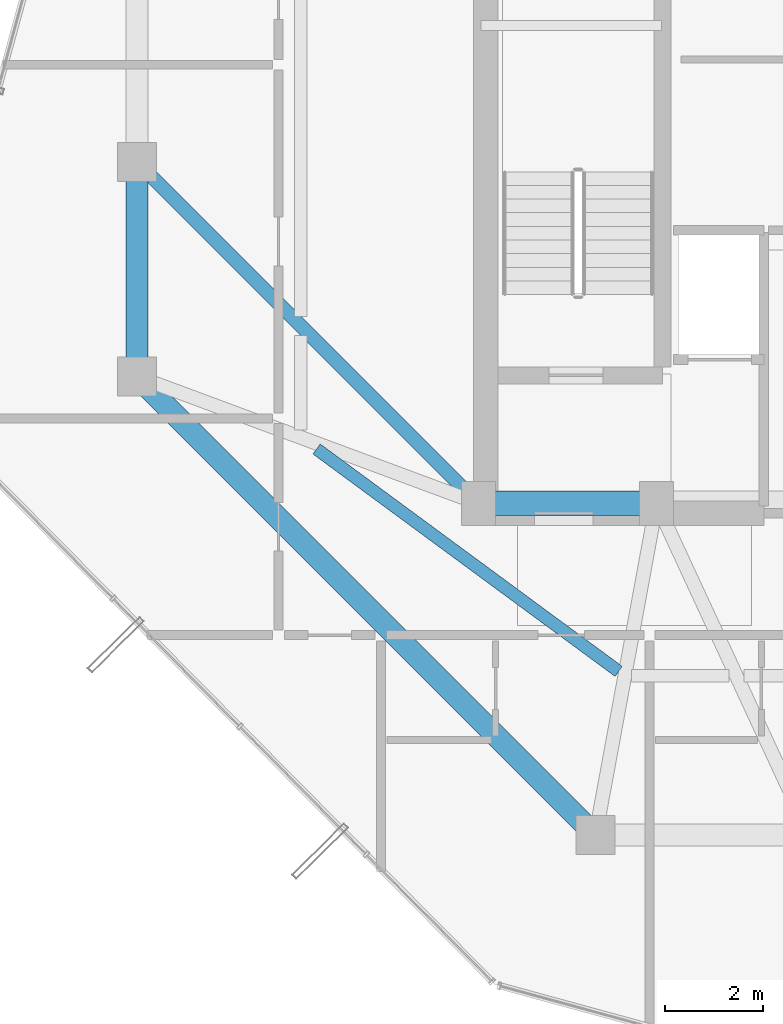
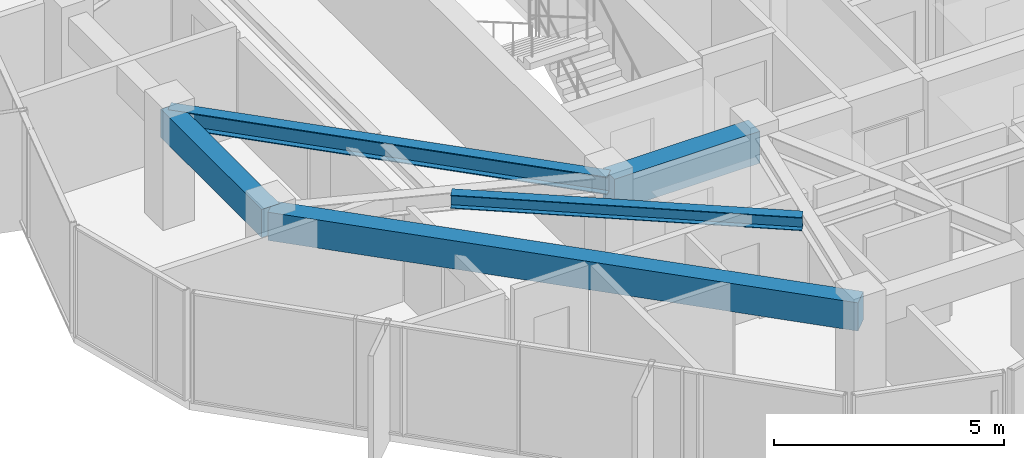
# One storey, part 7 of 29: 5 beams.
"""IFC4 building model written with IfcOpenShell, lengths in metres."""

from ifc_helpers import new_model, si_unit, direction, frame, origin, origin_2d, place, context, subcontext, project, spatial, rectangle, i_section, extrude, material, material_profile, profile_set, type_object, element, save


model = new_model("IFC4")

# Units and contexts
model_context = context("Model", 3, precision=1e-05, world=origin(), true_north=direction((0.0, 1.0)))
body_context = subcontext(model_context, "Body", "Model", "MODEL_VIEW")
ifc_project = project(units=[si_unit("LENGTHUNIT", "METRE"), si_unit("AREAUNIT", "SQUARE_METRE"), si_unit("VOLUMEUNIT", "CUBIC_METRE"), si_unit("PLANEANGLEUNIT", "RADIAN"), si_unit("MASSUNIT", "GRAM", prefix="KILO")], contexts=[model_context])

# Site, building, storey
site_placement = place(None, origin())
site = spatial("IfcSite", under=ifc_project, at=site_placement, CompositionType="ELEMENT")
building_placement = place(site_placement, origin())
building = spatial("IfcBuilding", under=site, at=building_placement, Name="Veraguas Prism Commons", CompositionType="ELEMENT")
storey_placement = place(building_placement, frame((0.0, 0.0, 261.0)))
storey = spatial("IfcBuildingStorey", under=building, at=storey_placement, Name="L74", CompositionType="ELEMENT", Elevation=261.0)

# Beams
ifc_material_1 = material(Name="Concrete C50/60", Category="concrete")
ifc_material_profile_1 = material_profile(ifc_material_1, rectangle(XDim=0.5, YDim=0.85009765625, at=origin_2d()), Name="RC500X850")
ifc_profile_set_1 = profile_set([ifc_material_profile_1], Name="Concrete C50/60")
beam_type_1 = type_object("IfcBeamType", Name="Core Coupling Beam RC 500x850", PredefinedType="BEAM", material=ifc_profile_set_1)
beam_1_placement = place(storey_placement, frame((17.199951171875, 17.0, 2.5048828125), z_axis=(1.0, 0.0, 0.0), x_axis=(0.0, 1.0, 0.0)))
element("IfcBeam", 1, at=beam_1_placement, inside=storey, type_object=beam_type_1, Name="Core Coupling Beam L74-CRS1", PredefinedType="BEAM", context=body_context, shape_type="SweptSolid", body=[
    extrude(rectangle(XDim=0.5, YDim=0.85009765625, at=origin_2d()), origin(), (0.0, 0.0, 1.0), 3.650146484375),
])
ifc_material_profile_2 = material_profile(ifc_material_1, rectangle(XDim=0.449951171875, YDim=0.75, at=origin_2d()), Name="RC450X750")
ifc_profile_set_2 = profile_set([ifc_material_profile_2], Name="Concrete C50/60")
beam_type_2 = type_object("IfcBeamType", Name="Perimeter Spandrel Upper RC 450x750", PredefinedType="SPANDREL", material=ifc_profile_set_2)
beam_2_placement = place(storey_placement, frame((10.199951171875, 24.0, 2.554931640625), z_axis=(0.0, -1.0, 0.0), x_axis=(1.0, 0.0, 0.0)))
element("IfcBeam", 2, at=beam_2_placement, inside=storey, type_object=beam_type_2, Name="Perimeter Spandrel Beam L74-SP08", PredefinedType="SPANDREL", context=body_context, shape_type="SweptSolid", body=[
    extrude(rectangle(XDim=0.449951171875, YDim=0.75, at=origin_2d()), origin(), (0.0, 0.0, 1.0), 4.39990234375),
])
beam_3_placement = place(storey_placement, frame((10.199951171875, 19.60009765625, 2.554931640625), z_axis=(0.707106781187, -0.707106781187, 0.0), x_axis=(0.707106781187, 0.707106781187, 0.0)))
element("IfcBeam", 3, at=beam_3_placement, inside=storey, type_object=beam_type_2, Name="Perimeter Spandrel Beam L74-SP09", PredefinedType="SPANDREL", context=body_context, shape_type="SweptSolid", body=[
    extrude(rectangle(XDim=0.449951171875, YDim=0.75, at=origin_2d()), origin(), (0.0, 0.0, 1.0), 13.293701171875),
])
ifc_material_2 = material(Name="Steel ASTM A992 Grade 50", Category="steel")
ifc_material_profile_3 = material_profile(ifc_material_2, i_section(OverallWidth=0.25390625, OverallDepth=0.35302734375, WebThickness=0.009521484375, FlangeThickness=0.016357421875, at=origin_2d()), Name="W360X91")
ifc_profile_set_3 = profile_set([ifc_material_profile_3], Name="Steel ASTM A992 Grade 50")
beam_type_3 = type_object("IfcBeamType", Name="Upper Floor Joist W360x91", PredefinedType="JOIST", material=ifc_profile_set_3)
beam_4_placement = place(storey_placement, frame((13.881103515625, 18.11572265625, 2.75341796875), z_axis=(0.805319835229, -0.592840588174, 0.0), x_axis=(0.592840588174, 0.805319835229, 0.0)))
element("IfcBeam", 4, at=beam_4_placement, inside=storey, type_object=beam_type_3, Name="Composite Floor Joist L74-JS09", PredefinedType="JOIST", context=body_context, shape_type="SweptSolid", body=[
    extrude(i_section(OverallWidth=0.25390625, OverallDepth=0.35302734375, WebThickness=0.009521484375, FlangeThickness=0.016357421875, at=origin_2d()), origin(), (0.0, 0.0, 1.0), 7.69140625),
])
ifc_material_profile_4 = material_profile(ifc_material_2, i_section(OverallWidth=0.282958984375, OverallDepth=0.471923828125, WebThickness=0.013671875, FlangeThickness=0.022216796875, at=origin_2d()), Name="W460X144")
ifc_profile_set_4 = profile_set([ifc_material_profile_4], Name="Steel ASTM A992 Grade 50")
beam_type_4 = type_object("IfcBeamType", Name="Zone 4 Radial Girder W460x144", PredefinedType="BEAM", material=ifc_profile_set_4)
beam_5_placement = place(storey_placement, frame((10.199951171875, 24.0, 2.694091796875), z_axis=(0.707106781187, -0.707106781187, 0.0), x_axis=(0.707106781187, 0.707106781187, 0.0)))
element("IfcBeam", 5, at=beam_5_placement, inside=storey, type_object=beam_type_4, Name="Radial Floor Girder L74-RD08", PredefinedType="BEAM", context=body_context, shape_type="SweptSolid", body=[
    extrude(i_section(OverallWidth=0.282958984375, OverallDepth=0.471923828125, WebThickness=0.013671875, FlangeThickness=0.022216796875, at=origin_2d()), origin(), (0.0, 0.0, 1.0), 9.8994140625),
])

save(model, "model.ifc")
